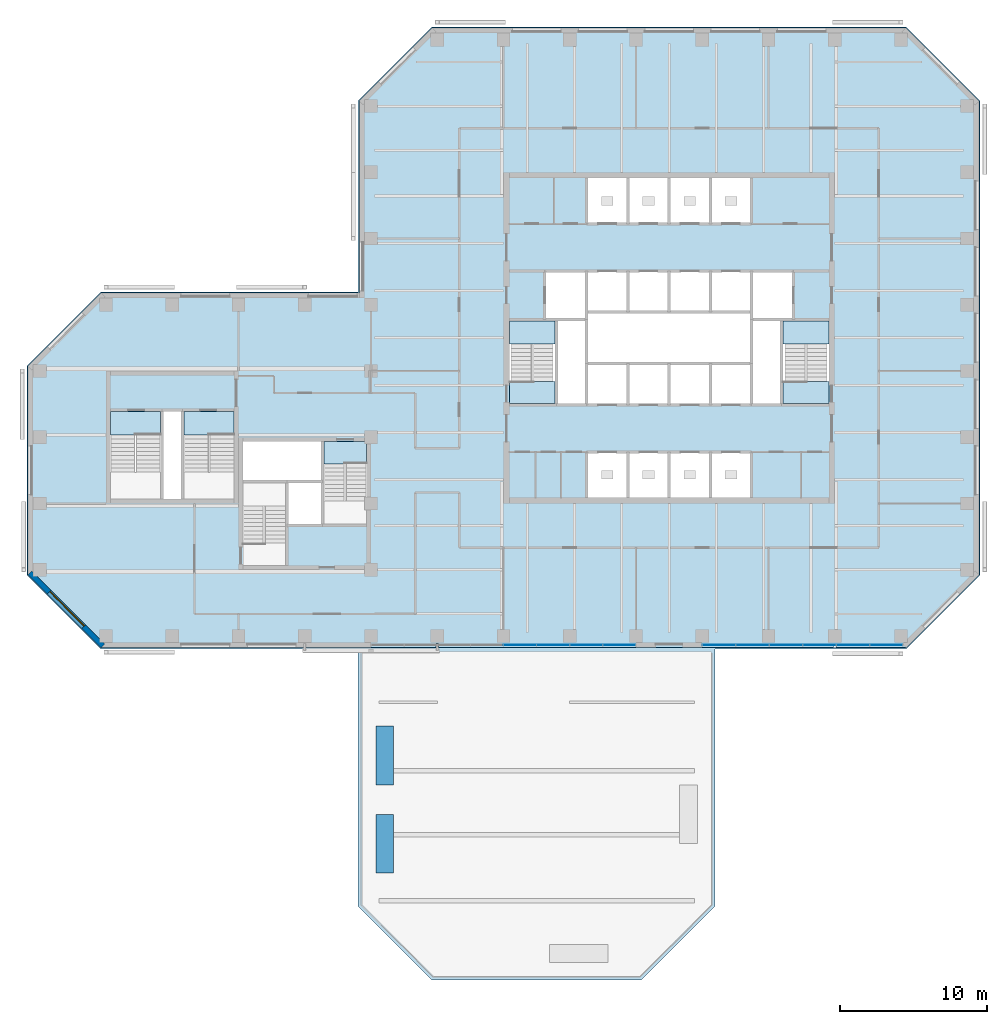
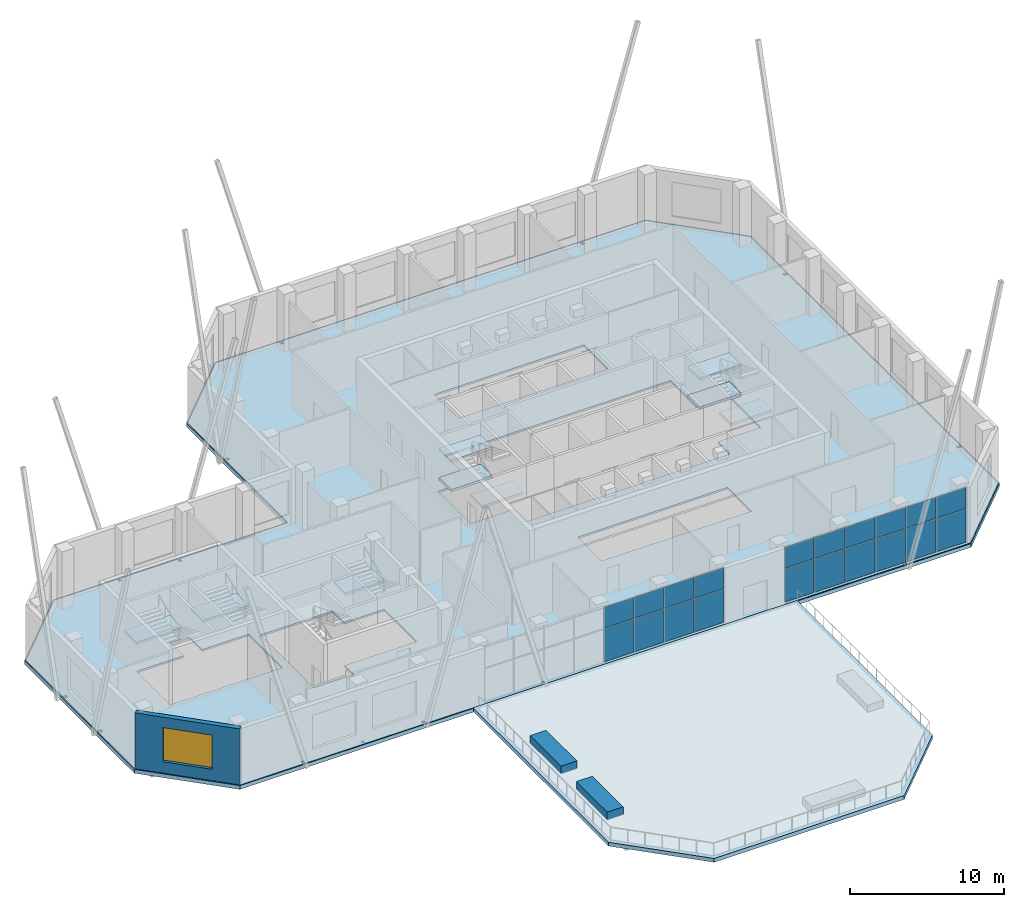
# One storey, part 6 of 14: 20 plates, 11 slabs, 3 walls, 1 window, 1 opening, 7 elements without a shape of their own.
"""IFC4 building model written with IfcOpenShell, lengths in metres."""

from ifc_helpers import new_model, si_unit, direction, frame, frame_2d, origin, origin_2d, place, context, subcontext, project, spatial, polyline, rectangle, outline, extrude, material, layer, layer_set, constituent, constituent_set, type_object, element, fill, aggregate, save


model = new_model("IFC4")

# Units and contexts
model_context = context("Model", 3, precision=1e-05, world=origin(), true_north=direction((0.0, 1.0)))
body_context = subcontext(model_context, "Body", "Model", "MODEL_VIEW")
ifc_project = project(units=[si_unit("LENGTHUNIT", "METRE"), si_unit("AREAUNIT", "SQUARE_METRE"), si_unit("VOLUMEUNIT", "CUBIC_METRE"), si_unit("PLANEANGLEUNIT", "RADIAN"), si_unit("MASSUNIT", "GRAM", prefix="KILO")], contexts=[model_context])

# Site, building, storey
site_placement = place(None, origin())
site = spatial("IfcSite", under=ifc_project, at=site_placement, CompositionType="ELEMENT")
building_placement = place(site_placement, origin())
building = spatial("IfcBuilding", under=site, at=building_placement, Name="Quoin Convention Tower", CompositionType="ELEMENT")
storey_placement = place(building_placement, frame((0.0, 0.0, 143.10009765625)))
storey = spatial("IfcBuildingStorey", under=building, at=storey_placement, Name="L37", CompositionType="ELEMENT", Elevation=143.10009765625)

# Slabs
ifc_material_1 = material(Name="Concrete C40", Category="concrete")
ifc_layer_1 = layer(ifc_material_1, 0.14990234375)
ifc_layer_set_1 = layer_set([ifc_layer_1], Name="Concrete C40")
slab_type_1 = type_object("IfcSlabType", Name="COMPOSITE SLAB 150 C40", PredefinedType="FLOOR", material=ifc_layer_set_1)
slab_1_placement = place(storey_placement, frame((0.0, 0.0, -0.150146484375)))
element("IfcSlab", 1, at=slab_1_placement, inside=storey, type_object=slab_type_1, Name="slb-L37", PredefinedType="FLOOR", context=body_context, shape_type="SweptSolid", body=[
    extrude(outline(polyline([(12.699951171875, 44.668701171875), (12.699951171875, 49.405029296875), (12.9951171875, 49.405029296875), (12.9951171875, 49.594970703125), (12.699951171875, 49.594970703125), (12.699951171875, 53.905029296875), (12.9951171875, 53.905029296875), (12.9951171875, 54.094970703125), (12.699951171875, 54.094970703125), (12.699951171875, 58.831298828125), (17.668701171875, 63.800048828125), (22.405029296875, 63.800048828125), (22.405029296875, 63.5048828125), (22.594970703125, 63.5048828125), (22.594970703125, 63.800048828125), (26.905029296875, 63.800048828125), (26.905029296875, 63.5048828125), (27.094970703125, 63.5048828125), (27.094970703125, 63.800048828125), (35.199951171875, 63.800048828125), (35.199951171875, 71.905029296875), (35.4951171875, 71.905029296875), (35.4951171875, 72.094970703125), (35.199951171875, 72.094970703125), (35.199951171875, 76.831298828125), (40.168701171875, 81.800048828125), (44.905029296875, 81.800048828125), (44.905029296875, 81.5048828125), (45.094970703125, 81.5048828125), (45.094970703125, 81.800048828125), (67.405029296875, 81.800048828125), (67.405029296875, 81.5048828125), (67.594970703125, 81.5048828125), (67.594970703125, 81.800048828125), (72.331298828125, 81.800048828125), (77.300048828125, 76.831298828125), (77.300048828125, 72.094970703125), (77.0048828125, 72.094970703125), (77.0048828125, 71.905029296875), (77.300048828125, 71.905029296875), (77.300048828125, 49.594970703125), (77.0048828125, 49.594970703125), (77.0048828125, 49.405029296875), (77.300048828125, 49.405029296875), (77.300048828125, 44.668701171875), (72.331298828125, 39.699951171875), (67.594970703125, 39.699951171875), (67.594970703125, 39.9951171875), (67.405029296875, 39.9951171875), (67.405029296875, 39.699951171875), (40.594970703125, 39.699951171875), (40.594970703125, 39.9951171875), (40.405029296875, 39.9951171875), (40.405029296875, 39.699951171875), (31.594970703125, 39.699951171875), (31.594970703125, 39.9951171875), (31.405029296875, 39.9951171875), (31.405029296875, 39.699951171875), (27.094970703125, 39.699951171875), (27.094970703125, 39.9951171875), (26.905029296875, 39.9951171875), (26.905029296875, 39.699951171875), (22.594970703125, 39.699951171875), (22.594970703125, 39.9951171875), (22.405029296875, 39.9951171875), (22.405029296875, 39.699951171875), (17.668701171875, 39.699951171875), (12.699951171875, 44.668701171875)]), holes=[polyline([(27.300048828125, 46.800537109375), (30.300048828125, 46.800537109375), (30.300048828125, 48.0), (32.699951171875, 48.0), (35.699951171875, 48.0), (35.699951171875, 52.199462890625), (32.699951171875, 52.199462890625), (32.699951171875, 53.699951171875), (27.300048828125, 53.699951171875), (27.300048828125, 51.0), (27.300048828125, 46.800537109375)]), polyline([(56.25, 49.89990234375), (59.050048828125, 49.89990234375), (61.85009765625, 49.89990234375), (61.85009765625, 53.0), (59.050048828125, 53.0), (56.25, 53.0), (53.449951171875, 53.0), (50.64990234375, 53.0), (50.64990234375, 49.89990234375), (53.449951171875, 49.89990234375), (56.25, 49.89990234375)]), polyline([(21.800048828125, 49.800048828125), (23.199951171875, 49.800048828125), (26.699951171875, 49.800048828125), (26.699951171875, 54.1494140625), (23.199951171875, 54.1494140625), (23.199951171875, 55.85009765625), (21.800048828125, 55.85009765625), (21.800048828125, 54.1494140625), (18.300048828125, 54.1494140625), (18.300048828125, 49.800048828125), (21.800048828125, 49.800048828125)]), polyline([(53.449951171875, 56.199951171875), (56.25, 56.199951171875), (59.050048828125, 56.199951171875), (61.85009765625, 56.199951171875), (63.89990234375, 56.199951171875), (63.89990234375, 57.800537109375), (67.10009765625, 57.800537109375), (67.10009765625, 62.0), (64.699951171875, 62.0), (64.699951171875, 65.300048828125), (61.85009765625, 65.300048828125), (59.050048828125, 65.300048828125), (56.25, 65.300048828125), (53.449951171875, 65.300048828125), (50.64990234375, 65.300048828125), (47.800048828125, 65.300048828125), (47.800048828125, 62.0), (45.39990234375, 62.0), (45.39990234375, 57.800537109375), (48.60009765625, 57.800537109375), (48.60009765625, 56.199951171875), (50.64990234375, 56.199951171875), (53.449951171875, 56.199951171875)]), polyline([(56.25, 68.5), (59.050048828125, 68.5), (61.85009765625, 68.5), (61.85009765625, 71.60009765625), (59.050048828125, 71.60009765625), (56.25, 71.60009765625), (53.449951171875, 71.60009765625), (50.64990234375, 71.60009765625), (50.64990234375, 68.5), (53.449951171875, 68.5), (56.25, 68.5)])]), origin(), (0.0, 0.0, 1.0), 0.150146484375),
])
ifc_material_2 = material(Name="Concrete C50", Category="concrete")
ifc_layer_2 = layer(ifc_material_2, 0.300048828125)
ifc_layer_set_2 = layer_set([ifc_layer_2], Name="Concrete C50")
slab_type_2 = type_object("IfcSlabType", Name="RC ROOF SLAB 300 C50", PredefinedType="ROOF", material=ifc_layer_set_2)
slab_2_placement = place(storey_placement, frame((0.0, 0.0, -0.300048828125)))
element("IfcSlab", 2, at=slab_2_placement, inside=storey, type_object=slab_type_2, Name="slb-L37-rf", PredefinedType="ROOF", context=body_context, shape_type="SweptSolid", body=[
    extrude(outline(polyline([(35.125, 39.625), (35.12451171875, 39.625), (17.645751953125, 39.625), (17.643798828125, 39.625), (17.641845703125, 39.62548828125), (17.639892578125, 39.6259765625), (17.63818359375, 39.62646484375), (17.636474609375, 39.62744140625), (17.634765625, 39.62841796875), (17.63330078125, 39.62939453125), (17.631591796875, 39.630859375), (12.630859375, 44.631591796875), (12.62939453125, 44.63330078125), (12.62841796875, 44.634765625), (12.62744140625, 44.636474609375), (12.62646484375, 44.63818359375), (12.6259765625, 44.639892578125), (12.62548828125, 44.641845703125), (12.625, 44.643798828125), (12.625, 44.645751953125), (12.625, 58.854248046875), (12.625, 58.856201171875), (12.62548828125, 58.858154296875), (12.6259765625, 58.860107421875), (12.62646484375, 58.86181640625), (12.62744140625, 58.863525390625), (12.62841796875, 58.865234375), (12.62939453125, 58.86669921875), (12.630859375, 58.868408203125), (17.631591796875, 63.869140625), (17.63330078125, 63.87060546875), (17.634765625, 63.87158203125), (17.636474609375, 63.87255859375), (17.63818359375, 63.87353515625), (17.639892578125, 63.8740234375), (17.641845703125, 63.87451171875), (17.643798828125, 63.875), (17.645751953125, 63.875), (35.12451171875, 63.875), (35.125, 63.875), (35.125, 63.87548828125), (35.125, 76.854248046875), (35.125, 76.856201171875), (35.12548828125, 76.858154296875), (35.1259765625, 76.860107421875), (35.12646484375, 76.86181640625), (35.12744140625, 76.863525390625), (35.12841796875, 76.865234375), (35.12939453125, 76.86669921875), (35.130859375, 76.868408203125), (40.131591796875, 81.869140625), (40.13330078125, 81.87060546875), (40.134765625, 81.87158203125), (40.136474609375, 81.87255859375), (40.13818359375, 81.87353515625), (40.139892578125, 81.8740234375), (40.141845703125, 81.87451171875), (40.143798828125, 81.875), (40.145751953125, 81.875), (72.354248046875, 81.875), (72.356201171875, 81.875), (72.358154296875, 81.87451171875), (72.360107421875, 81.8740234375), (72.36181640625, 81.87353515625), (72.363525390625, 81.87255859375), (72.365234375, 81.87158203125), (72.36669921875, 81.87060546875), (72.368408203125, 81.869140625), (77.369140625, 76.868408203125), (77.37060546875, 76.86669921875), (77.37158203125, 76.865234375), (77.37255859375, 76.863525390625), (77.37353515625, 76.86181640625), (77.3740234375, 76.860107421875), (77.37451171875, 76.858154296875), (77.375, 76.856201171875), (77.375, 76.854248046875), (77.375, 44.645751953125), (77.375, 44.643798828125), (77.37451171875, 44.641845703125), (77.3740234375, 44.639892578125), (77.37353515625, 44.63818359375), (77.37255859375, 44.636474609375), (77.37158203125, 44.634765625), (77.37060546875, 44.63330078125), (77.369140625, 44.631591796875), (72.368408203125, 39.630859375), (72.36669921875, 39.62939453125), (72.365234375, 39.62841796875), (72.363525390625, 39.62744140625), (72.36181640625, 39.62646484375), (72.360107421875, 39.6259765625), (72.358154296875, 39.62548828125), (72.356201171875, 39.625), (72.354248046875, 39.625), (59.37548828125, 39.625), (59.375, 39.625), (59.375, 39.62451171875), (59.375, 22.145751953125), (59.375, 22.143798828125), (59.37451171875, 22.141845703125), (59.3740234375, 22.139892578125), (59.37353515625, 22.13818359375), (59.37255859375, 22.136474609375), (59.37158203125, 22.134765625), (59.37060546875, 22.13330078125), (59.369140625, 22.131591796875), (54.368408203125, 17.130859375), (54.36669921875, 17.12939453125), (54.365234375, 17.12841796875), (54.363525390625, 17.12744140625), (54.36181640625, 17.12646484375), (54.360107421875, 17.1259765625), (54.358154296875, 17.12548828125), (54.356201171875, 17.125), (54.354248046875, 17.125), (40.145751953125, 17.125), (40.143798828125, 17.125), (40.141845703125, 17.12548828125), (40.139892578125, 17.1259765625), (40.13818359375, 17.12646484375), (40.136474609375, 17.12744140625), (40.134765625, 17.12841796875), (40.13330078125, 17.12939453125), (40.131591796875, 17.130859375), (35.130859375, 22.131591796875), (35.12939453125, 22.13330078125), (35.12841796875, 22.134765625), (35.12744140625, 22.136474609375), (35.12646484375, 22.13818359375), (35.1259765625, 22.139892578125), (35.12548828125, 22.141845703125), (35.125, 22.143798828125), (35.125, 22.145751953125), (35.125, 39.62451171875), (35.125, 39.625)]), holes=[polyline([(12.699951171875, 44.668701171875), (12.7001953125, 44.668212890625), (17.668212890625, 39.7001953125), (17.668701171875, 39.699951171875), (17.669189453125, 39.699951171875), (72.330810546875, 39.699951171875), (72.331298828125, 39.699951171875), (72.331787109375, 39.7001953125), (77.2998046875, 44.668212890625), (77.300048828125, 44.668701171875), (77.300048828125, 44.669189453125), (77.300048828125, 76.830810546875), (77.300048828125, 76.831298828125), (77.2998046875, 76.831787109375), (72.331787109375, 81.7998046875), (72.331298828125, 81.800048828125), (72.330810546875, 81.800048828125), (40.169189453125, 81.800048828125), (40.168701171875, 81.800048828125), (40.168212890625, 81.7998046875), (35.2001953125, 76.831787109375), (35.199951171875, 76.831298828125), (35.199951171875, 76.830810546875), (35.199951171875, 63.820068359375), (35.199951171875, 63.818115234375), (35.19970703125, 63.816162109375), (35.19921875, 63.814208984375), (35.198486328125, 63.812255859375), (35.197509765625, 63.810546875), (35.196533203125, 63.808837890625), (35.195556640625, 63.807373046875), (35.194091796875, 63.805908203125), (35.192626953125, 63.804443359375), (35.191162109375, 63.803466796875), (35.189453125, 63.802490234375), (35.187744140625, 63.801513671875), (35.185791015625, 63.80078125), (35.183837890625, 63.80029296875), (35.181884765625, 63.800048828125), (35.179931640625, 63.800048828125), (17.669189453125, 63.800048828125), (17.668701171875, 63.800048828125), (17.668212890625, 63.7998046875), (12.7001953125, 58.831787109375), (12.699951171875, 58.831298828125), (12.699951171875, 58.830810546875), (12.699951171875, 44.669189453125), (12.699951171875, 44.668701171875)])]), origin(), (0.0, 0.0, 1.0), 0.300048828125),
])

# Curtain wall, plates
ifc_material_3 = material(Name="Aluminium", Category="aluminium")
ifc_constituent_1 = constituent(ifc_material_3, Name="Frame")
ifc_material_4 = material(Name="Insulated glass", Category="glass")
ifc_constituent_2 = constituent(ifc_material_4, Name="Glazing")
ifc_constituent_set_1 = constituent_set(constituents=[ifc_constituent_1, ifc_constituent_2], Name="Aluminium")
curtain_wall_type = type_object("IfcCurtainWallType", Name="Sky lobby glazing system", PredefinedType="NOTDEFINED", material=ifc_constituent_set_1)
curtain_wall_1_placement = place(storey_placement, origin())
curtain_wall_1 = element("IfcCurtainWall", 3, at=curtain_wall_1_placement, inside=storey, type_object=curtain_wall_type, Name="cw-SKY-L37-36000_39875", PredefinedType="NOTDEFINED")
ifc_layer_3 = layer(ifc_material_4, 0.035888671875)
ifc_layer_set_3 = layer_set([ifc_layer_3], Name="Insulated glass")
plate_type_1 = type_object("IfcPlateType", Name="Sky lobby glazing glazing unit 36", PredefinedType="CURTAIN_PANEL", material=ifc_layer_set_3)
plate_1_placement = place(storey_placement, frame((46.125, 39.875, 0.0498046875), z_axis=(0.0, 0.0, 1.0), x_axis=(1.0, 0.0, 0.0)))
plate_1 = element("IfcPlate", 4, at=plate_1_placement, type_object=plate_type_1, Name="CW3 panel 5.1", PredefinedType="CURTAIN_PANEL", context=body_context, shape_type="SweptSolid", body=[
    extrude(rectangle(XDim=2.199951171875, YDim=0.035888671875, at=origin_2d()), origin(), (0.0, 0.0, 1.0), 2.625),
])
plate_2_placement = place(storey_placement, frame((46.125, 39.875, 2.724853515625), z_axis=(0.0, 0.0, 1.0), x_axis=(1.0, 0.0, 0.0)))
plate_2 = element("IfcPlate", 5, at=plate_2_placement, type_object=plate_type_1, Name="CW3 panel 5.2", PredefinedType="CURTAIN_PANEL", context=body_context, shape_type="SweptSolid", body=[
    extrude(rectangle(XDim=2.199951171875, YDim=0.035888671875, at=origin_2d()), origin(), (0.0, 0.0, 1.0), 1.64990234375),
])
plate_3_placement = place(storey_placement, frame((48.375, 39.875, 0.0498046875), z_axis=(0.0, 0.0, 1.0), x_axis=(1.0, 0.0, 0.0)))
plate_3 = element("IfcPlate", 6, at=plate_3_placement, type_object=plate_type_1, Name="CW3 panel 6.1", PredefinedType="CURTAIN_PANEL", context=body_context, shape_type="SweptSolid", body=[
    extrude(rectangle(XDim=2.199951171875, YDim=0.035888671875, at=origin_2d()), origin(), (0.0, 0.0, 1.0), 2.625),
])
plate_4_placement = place(storey_placement, frame((48.375, 39.875, 2.724853515625), z_axis=(0.0, 0.0, 1.0), x_axis=(1.0, 0.0, 0.0)))
plate_4 = element("IfcPlate", 7, at=plate_4_placement, type_object=plate_type_1, Name="CW3 panel 6.2", PredefinedType="CURTAIN_PANEL", context=body_context, shape_type="SweptSolid", body=[
    extrude(rectangle(XDim=2.199951171875, YDim=0.035888671875, at=origin_2d()), origin(), (0.0, 0.0, 1.0), 1.64990234375),
])
plate_5_placement = place(storey_placement, frame((50.625, 39.875, 0.0498046875), z_axis=(0.0, 0.0, 1.0), x_axis=(1.0, 0.0, 0.0)))
plate_5 = element("IfcPlate", 8, at=plate_5_placement, type_object=plate_type_1, Name="CW3 panel 7.1", PredefinedType="CURTAIN_PANEL", context=body_context, shape_type="SweptSolid", body=[
    extrude(rectangle(XDim=2.199951171875, YDim=0.035888671875, at=origin_2d()), origin(), (0.0, 0.0, 1.0), 2.625),
])
plate_6_placement = place(storey_placement, frame((50.625, 39.875, 2.724853515625), z_axis=(0.0, 0.0, 1.0), x_axis=(1.0, 0.0, 0.0)))
plate_6 = element("IfcPlate", 9, at=plate_6_placement, type_object=plate_type_1, Name="CW3 panel 7.2", PredefinedType="CURTAIN_PANEL", context=body_context, shape_type="SweptSolid", body=[
    extrude(rectangle(XDim=2.199951171875, YDim=0.035888671875, at=origin_2d()), origin(), (0.0, 0.0, 1.0), 1.64990234375),
])
plate_7_placement = place(storey_placement, frame((52.862548828125, 39.875, 0.0498046875), z_axis=(0.0, 0.0, 1.0), x_axis=(1.0, 0.0, 0.0)))
plate_7 = element("IfcPlate", 10, at=plate_7_placement, type_object=plate_type_1, Name="CW3 panel 8.1", PredefinedType="CURTAIN_PANEL", context=body_context, shape_type="SweptSolid", body=[
    extrude(rectangle(XDim=2.175048828125, YDim=0.035888671875, at=origin_2d()), origin(), (0.0, 0.0, 1.0), 2.625),
])
plate_8_placement = place(storey_placement, frame((52.862548828125, 39.875, 2.724853515625), z_axis=(0.0, 0.0, 1.0), x_axis=(1.0, 0.0, 0.0)))
plate_8 = element("IfcPlate", 11, at=plate_8_placement, type_object=plate_type_1, Name="CW3 panel 8.2", PredefinedType="CURTAIN_PANEL", context=body_context, shape_type="SweptSolid", body=[
    extrude(rectangle(XDim=2.175048828125, YDim=0.035888671875, at=origin_2d()), origin(), (0.0, 0.0, 1.0), 1.64990234375),
])
aggregate(curtain_wall_1, [plate_1, plate_2, plate_3, plate_4, plate_5, plate_6, plate_7, plate_8])

curtain_wall_2_placement = place(storey_placement, origin())
curtain_wall_2 = element("IfcCurtainWall", 12, at=curtain_wall_2_placement, inside=storey, type_object=curtain_wall_type, Name="cw-SKY-L37-58500_39875", PredefinedType="NOTDEFINED")
plate_9_placement = place(storey_placement, frame((59.650634765625, 39.875, 0.0498046875), z_axis=(0.0, 0.0, 1.0), x_axis=(1.0, 0.0, 0.0)))
plate_9 = element("IfcPlate", 13, at=plate_9_placement, type_object=plate_type_1, Name="CW3 panel 1.1", PredefinedType="CURTAIN_PANEL", context=body_context, shape_type="SweptSolid", body=[
    extrude(rectangle(XDim=2.201171875, YDim=0.035888671875, at=origin_2d()), origin(), (0.0, 0.0, 1.0), 2.625),
])
plate_10_placement = place(storey_placement, frame((59.650634765625, 39.875, 2.724853515625), z_axis=(0.0, 0.0, 1.0), x_axis=(1.0, 0.0, 0.0)))
plate_10 = element("IfcPlate", 14, at=plate_10_placement, type_object=plate_type_1, Name="CW3 panel 1.2", PredefinedType="CURTAIN_PANEL", context=body_context, shape_type="SweptSolid", body=[
    extrude(rectangle(XDim=2.201171875, YDim=0.035888671875, at=origin_2d()), origin(), (0.0, 0.0, 1.0), 1.64990234375),
])
plate_11_placement = place(storey_placement, frame((61.9140625, 39.875, 0.0498046875), z_axis=(0.0, 0.0, 1.0), x_axis=(1.0, 0.0, 0.0)))
plate_11 = element("IfcPlate", 15, at=plate_11_placement, type_object=plate_type_1, Name="CW3 panel 2.1", PredefinedType="CURTAIN_PANEL", context=body_context, shape_type="SweptSolid", body=[
    extrude(rectangle(XDim=2.22607421875, YDim=0.035888671875, at=origin_2d()), origin(), (0.0, 0.0, 1.0), 2.625),
])
plate_12_placement = place(storey_placement, frame((61.9140625, 39.875, 2.724853515625), z_axis=(0.0, 0.0, 1.0), x_axis=(1.0, 0.0, 0.0)))
plate_12 = element("IfcPlate", 16, at=plate_12_placement, type_object=plate_type_1, Name="CW3 panel 2.2", PredefinedType="CURTAIN_PANEL", context=body_context, shape_type="SweptSolid", body=[
    extrude(rectangle(XDim=2.22607421875, YDim=0.035888671875, at=origin_2d()), origin(), (0.0, 0.0, 1.0), 1.64990234375),
])
plate_13_placement = place(storey_placement, frame((64.190185546875, 39.875, 0.0498046875), z_axis=(0.0, 0.0, 1.0), x_axis=(1.0, 0.0, 0.0)))
plate_13 = element("IfcPlate", 17, at=plate_13_placement, type_object=plate_type_1, Name="CW3 panel 3.1", PredefinedType="CURTAIN_PANEL", context=body_context, shape_type="SweptSolid", body=[
    extrude(rectangle(XDim=2.22607421875, YDim=0.035888671875, at=origin_2d()), origin(), (0.0, 0.0, 1.0), 2.625),
])
plate_14_placement = place(storey_placement, frame((64.190185546875, 39.875, 2.724853515625), z_axis=(0.0, 0.0, 1.0), x_axis=(1.0, 0.0, 0.0)))
plate_14 = element("IfcPlate", 18, at=plate_14_placement, type_object=plate_type_1, Name="CW3 panel 3.2", PredefinedType="CURTAIN_PANEL", context=body_context, shape_type="SweptSolid", body=[
    extrude(rectangle(XDim=2.22607421875, YDim=0.035888671875, at=origin_2d()), origin(), (0.0, 0.0, 1.0), 1.64990234375),
])
plate_15_placement = place(storey_placement, frame((66.46630859375, 39.875, 0.0498046875), z_axis=(0.0, 0.0, 1.0), x_axis=(1.0, 0.0, 0.0)))
plate_15 = element("IfcPlate", 19, at=plate_15_placement, type_object=plate_type_1, Name="CW3 panel 4.1", PredefinedType="CURTAIN_PANEL", context=body_context, shape_type="SweptSolid", body=[
    extrude(rectangle(XDim=2.22607421875, YDim=0.035888671875, at=origin_2d()), origin(), (0.0, 0.0, 1.0), 2.625),
])
plate_16_placement = place(storey_placement, frame((66.46630859375, 39.875, 2.724853515625), z_axis=(0.0, 0.0, 1.0), x_axis=(1.0, 0.0, 0.0)))
plate_16 = element("IfcPlate", 20, at=plate_16_placement, type_object=plate_type_1, Name="CW3 panel 4.2", PredefinedType="CURTAIN_PANEL", context=body_context, shape_type="SweptSolid", body=[
    extrude(rectangle(XDim=2.22607421875, YDim=0.035888671875, at=origin_2d()), origin(), (0.0, 0.0, 1.0), 1.64990234375),
])
plate_17_placement = place(storey_placement, frame((71.005859375, 39.875, 0.0498046875), z_axis=(0.0, 0.0, 1.0), x_axis=(1.0, 0.0, 0.0)))
plate_17 = element("IfcPlate", 21, at=plate_17_placement, type_object=plate_type_1, Name="CW3 panel 6.1", PredefinedType="CURTAIN_PANEL", context=body_context, shape_type="SweptSolid", body=[
    extrude(rectangle(XDim=2.201171875, YDim=0.035888671875, at=origin_2d()), origin(), (0.0, 0.0, 1.0), 2.625),
])
plate_18_placement = place(storey_placement, frame((71.005859375, 39.875, 2.724853515625), z_axis=(0.0, 0.0, 1.0), x_axis=(1.0, 0.0, 0.0)))
plate_18 = element("IfcPlate", 22, at=plate_18_placement, type_object=plate_type_1, Name="CW3 panel 6.2", PredefinedType="CURTAIN_PANEL", context=body_context, shape_type="SweptSolid", body=[
    extrude(rectangle(XDim=2.201171875, YDim=0.035888671875, at=origin_2d()), origin(), (0.0, 0.0, 1.0), 1.64990234375),
])
ifc_material_5 = material(Name="Spandrel glass", Category="glass")
ifc_layer_4 = layer(ifc_material_5, 0.035888671875)
ifc_layer_set_4 = layer_set([ifc_layer_4], Name="Spandrel glass")
plate_type_2 = type_object("IfcPlateType", Name="Sky lobby glazing spandrel unit 36", PredefinedType="CURTAIN_PANEL", material=ifc_layer_set_4)
plate_19_placement = place(storey_placement, frame((68.7421875, 39.875, 0.0498046875), z_axis=(0.0, 0.0, 1.0), x_axis=(1.0, 0.0, 0.0)))
plate_19 = element("IfcPlate", 23, at=plate_19_placement, type_object=plate_type_2, Name="CW3 panel 5.1", PredefinedType="CURTAIN_PANEL", context=body_context, shape_type="SweptSolid", body=[
    extrude(rectangle(XDim=2.22607421875, YDim=0.035888671875, at=origin_2d()), origin(), (0.0, 0.0, 1.0), 2.625),
])
plate_20_placement = place(storey_placement, frame((68.7421875, 39.875, 2.724853515625), z_axis=(0.0, 0.0, 1.0), x_axis=(1.0, 0.0, 0.0)))
plate_20 = element("IfcPlate", 24, at=plate_20_placement, type_object=plate_type_2, Name="CW3 panel 5.2", PredefinedType="CURTAIN_PANEL", context=body_context, shape_type="SweptSolid", body=[
    extrude(rectangle(XDim=2.22607421875, YDim=0.035888671875, at=origin_2d()), origin(), (0.0, 0.0, 1.0), 1.64990234375),
])
aggregate(curtain_wall_2, [plate_9, plate_10, plate_11, plate_12, plate_13, plate_14, plate_15, plate_16, plate_19, plate_20, plate_17, plate_18])

# Stair, slabs
stair_type_1 = type_object("IfcStairType", Name="Exit stair four-flight 1350", PredefinedType="DOUBLE_RETURN_STAIR", material=ifc_material_1)
stair_1_placement = place(storey_placement, origin())
stair_1 = element("IfcStair", 25, at=stair_1_placement, inside=storey, type_object=stair_type_1, Name="SD1 L37", PredefinedType="DOUBLE_RETURN_STAIR")
ifc_layer_5 = layer(ifc_material_1, 0.199951171875)
ifc_layer_set_5 = layer_set([ifc_layer_5], Name="Concrete C40")
slab_type_3 = type_object("IfcSlabType", Name="Stair landing 200", PredefinedType="LANDING", material=ifc_layer_set_5)
slab_3_placement = place(storey_placement, frame((0.0, 0.0, 0.949951171875)))
slab_3 = element("IfcSlab", 26, at=slab_3_placement, type_object=slab_type_3, Name="ST1 landing 1", PredefinedType="LANDING", context=body_context, shape_type="SweptSolid", body=[
    extrude(outline(polyline([(45.39990234375, 60.320068359375), (48.5, 60.320068359375), (48.5, 61.89990234375), (45.39990234375, 61.89990234375), (45.39990234375, 60.320068359375)])), origin(), (0.0, 0.0, 1.0), 0.199951171875),
])
slab_4_placement = place(storey_placement, frame((0.0, 0.0, 2.099853515625)))
slab_4 = element("IfcSlab", 27, at=slab_4_placement, type_object=slab_type_3, Name="ST1 landing 2", PredefinedType="LANDING", context=body_context, shape_type="SweptSolid", body=[
    extrude(outline(polyline([(45.39990234375, 56.300048828125), (48.5, 56.300048828125), (48.5, 57.800048828125), (45.39990234375, 57.800048828125), (45.39990234375, 56.300048828125)])), origin(), (0.0, 0.0, 1.0), 0.199951171875),
])
slab_5_placement = place(storey_placement, frame((0.0, 0.0, 3.25)))
slab_5 = element("IfcSlab", 28, at=slab_5_placement, type_object=slab_type_3, Name="ST1 landing 3", PredefinedType="LANDING", context=body_context, shape_type="SweptSolid", body=[
    extrude(outline(polyline([(45.39990234375, 60.320068359375), (48.5, 60.320068359375), (48.5, 61.89990234375), (45.39990234375, 61.89990234375), (45.39990234375, 60.320068359375)])), origin(), (0.0, 0.0, 1.0), 0.199951171875),
])
aggregate(stair_1, [slab_3, slab_4, slab_5])

stair_2_placement = place(storey_placement, origin())
stair_2 = element("IfcStair", 29, at=stair_2_placement, inside=storey, type_object=stair_type_1, Name="SD2 L37", PredefinedType="DOUBLE_RETURN_STAIR")
slab_6_placement = place(storey_placement, frame((0.0, 0.0, 0.949951171875)))
slab_6 = element("IfcSlab", 30, at=slab_6_placement, type_object=slab_type_3, Name="ST2 landing 1", PredefinedType="LANDING", context=body_context, shape_type="SweptSolid", body=[
    extrude(outline(polyline([(64.0, 60.320068359375), (67.10009765625, 60.320068359375), (67.10009765625, 61.89990234375), (64.0, 61.89990234375), (64.0, 60.320068359375)])), origin(), (0.0, 0.0, 1.0), 0.199951171875),
])
slab_7_placement = place(storey_placement, frame((0.0, 0.0, 2.099853515625)))
slab_7 = element("IfcSlab", 31, at=slab_7_placement, type_object=slab_type_3, Name="ST2 landing 2", PredefinedType="LANDING", context=body_context, shape_type="SweptSolid", body=[
    extrude(outline(polyline([(64.0, 56.300048828125), (67.10009765625, 56.300048828125), (67.10009765625, 57.800048828125), (64.0, 57.800048828125), (64.0, 56.300048828125)])), origin(), (0.0, 0.0, 1.0), 0.199951171875),
])
slab_8_placement = place(storey_placement, frame((0.0, 0.0, 3.25)))
slab_8 = element("IfcSlab", 32, at=slab_8_placement, type_object=slab_type_3, Name="ST2 landing 3", PredefinedType="LANDING", context=body_context, shape_type="SweptSolid", body=[
    extrude(outline(polyline([(64.0, 60.320068359375), (67.10009765625, 60.320068359375), (67.10009765625, 61.89990234375), (64.0, 61.89990234375), (64.0, 60.320068359375)])), origin(), (0.0, 0.0, 1.0), 0.199951171875),
])
aggregate(stair_2, [slab_6, slab_7, slab_8])

# Stair, slab
stair_3_placement = place(storey_placement, origin())
stair_3 = element("IfcStair", 33, at=stair_3_placement, inside=storey, type_object=stair_type_1, Name="SD4 L37", PredefinedType="DOUBLE_RETURN_STAIR")
slab_9_placement = place(storey_placement, frame((0.0, 0.0, 2.099853515625)))
slab_9 = element("IfcSlab", 34, at=slab_9_placement, type_object=slab_type_3, Name="ST4 landing 2", PredefinedType="LANDING", context=body_context, shape_type="SweptSolid", body=[
    extrude(outline(polyline([(35.699951171875, 53.699951171875), (32.800048828125, 53.699951171875), (32.800048828125, 52.199951171875), (35.699951171875, 52.199951171875), (35.699951171875, 53.699951171875)])), origin(), (0.0, 0.0, 1.0), 0.199951171875),
])
aggregate(stair_3, [slab_9])

stair_type_2 = type_object("IfcStairType", Name="Exit stair four-flight 1600", PredefinedType="DOUBLE_RETURN_STAIR", material=ifc_material_1)
stair_4_placement = place(storey_placement, origin())
stair_4 = element("IfcStair", 35, at=stair_4_placement, inside=storey, type_object=stair_type_2, Name="SD11 L37", PredefinedType="DOUBLE_RETURN_STAIR")
slab_10_placement = place(storey_placement, frame((0.0, 0.0, 2.099853515625)))
slab_10 = element("IfcSlab", 36, at=slab_10_placement, type_object=slab_type_3, Name="ST11 landing 2", PredefinedType="LANDING", context=body_context, shape_type="SweptSolid", body=[
    extrude(outline(polyline([(21.699951171875, 55.75), (18.300048828125, 55.75), (18.300048828125, 54.14990234375), (21.699951171875, 54.14990234375), (21.699951171875, 55.75)])), origin(), (0.0, 0.0, 1.0), 0.199951171875),
])
aggregate(stair_4, [slab_10])

stair_5_placement = place(storey_placement, origin())
stair_5 = element("IfcStair", 37, at=stair_5_placement, inside=storey, type_object=stair_type_2, Name="SD12 L37", PredefinedType="DOUBLE_RETURN_STAIR")
slab_11_placement = place(storey_placement, frame((0.0, 0.0, 2.099853515625)))
slab_11 = element("IfcSlab", 38, at=slab_11_placement, type_object=slab_type_3, Name="ST12 landing 2", PredefinedType="LANDING", context=body_context, shape_type="SweptSolid", body=[
    extrude(outline(polyline([(26.699951171875, 55.75), (23.300048828125, 55.75), (23.300048828125, 54.14990234375), (26.699951171875, 54.14990234375), (26.699951171875, 55.75)])), origin(), (0.0, 0.0, 1.0), 0.199951171875),
])
aggregate(stair_5, [slab_11])

# Wall, opening, window
ifc_material_6 = material(Name="Brick masonry", Category="masonry")
ifc_layer_6 = layer(ifc_material_6, 0.35009765625)
ifc_layer_set_6 = layer_set([ifc_layer_6], Name="Brick masonry")
wall_type_1 = type_object("IfcWallType", Name="Brick facade wall", PredefinedType="STANDARD", material=ifc_layer_set_6)
wall_placement = place(storey_placement, frame((12.82373046875, 44.79248046875, 0.0), z_axis=(0.0, 0.0, 1.0), x_axis=(0.707106781187, -0.707106781187, 0.0)))
wall = element("IfcWall", 39, at=wall_placement, inside=storey, type_object=wall_type_1, Name="fw-L37-13500_45000", PredefinedType="STANDARD", context=body_context, shape_type="SweptSolid", body=[
    extrude(rectangle(XDim=7.02685546875, YDim=0.35009765625, at=frame_2d((3.513427734375, 0.0))), origin(), (0.0, 0.0, 1.0), 4.4248046875),
])
opening_placement = place(wall_placement, frame((1.86328125, 0.0, 0.89990234375)))
opening = element("IfcOpeningElement", 40, at=opening_placement, cuts=wall, Name="Opening W-03", PredefinedType="OPENING", context=body_context, shape_type="SweptSolid", body=[
    extrude(rectangle(XDim=3.300048828125, YDim=2.699951171875, at=frame_2d((1.64990234375, 1.35009765625))), frame((0.0, 0.18505859375, 0.0), z_axis=(0.0, -1.0, 0.0), x_axis=(1.0, 0.0, 0.0)), (0.0, 0.0, 1.0), 0.3701171875),
])
ifc_constituent_3 = constituent(ifc_material_3, Name="Frame")
ifc_constituent_4 = constituent(ifc_material_4, Name="Glazing")
ifc_constituent_set_2 = constituent_set(constituents=[ifc_constituent_3, ifc_constituent_4], Name="Aluminium")
window_type = type_object("IfcWindowType", Name="Sky lobby window", PartitioningType="DOUBLE_PANEL_VERTICAL", PredefinedType="WINDOW", material=ifc_constituent_set_2)
window_placement = place(opening_placement, origin())
window = element("IfcWindow", 41, at=window_placement, inside=storey, type_object=window_type, Name="win-L37-15308_42308", OverallHeight=2.699951171875, OverallWidth=3.300048828125, PartitioningType="SINGLE_PANEL", PredefinedType="WINDOW", context=body_context, shape_type="SweptSolid", body=[
    extrude(rectangle(XDim=3.300048828125, YDim=2.699951171875, at=frame_2d((1.64990234375, 1.35009765625))), frame((0.0, 0.0849609375, 0.0), z_axis=(0.0, -1.0, 0.0), x_axis=(1.0, 0.0, 0.0)), (0.0, 0.0, 1.0), 0.06005859375),
])
fill(opening, window)

# Walls
ifc_layer_7 = layer(ifc_material_1, 1.199951171875)
ifc_layer_set_7 = layer_set([ifc_layer_7], Name="Concrete C40")
wall_type_2 = type_object("IfcWallType", Name="Planter bed", PredefinedType="STANDARD", material=ifc_layer_set_7)
for number, where, z_axis, x_axis, name in (
    (42, (36.925048828125, 24.383056640625, 0.0), (0.0, 0.0, 1.0), (0.0, 1.0, 0.0), "PLANTER L37 03"),
    (43, (36.925048828125, 30.383056640625, 0.0), (0.0, 0.0, 1.0), (0.0, 1.0, 0.0), "PLANTER L37 04"),
):
    element("IfcWall", number, at=place(storey_placement, frame(where, z_axis=z_axis, x_axis=x_axis)), inside=storey, type_object=wall_type_2, Name=name, PredefinedType="STANDARD", context=body_context, shape_type="SweptSolid", body=[
        extrude(rectangle(XDim=4.0, YDim=1.199951171875, at=frame_2d((2.0, 0.0))), origin(), (0.0, 0.0, 1.0), 0.599853515625),
    ])

save(model, "model.ifc")
